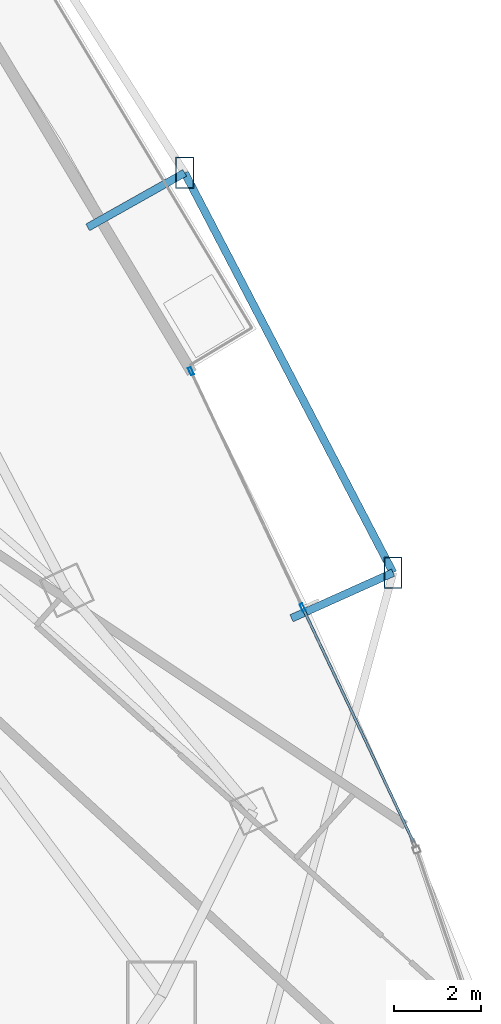
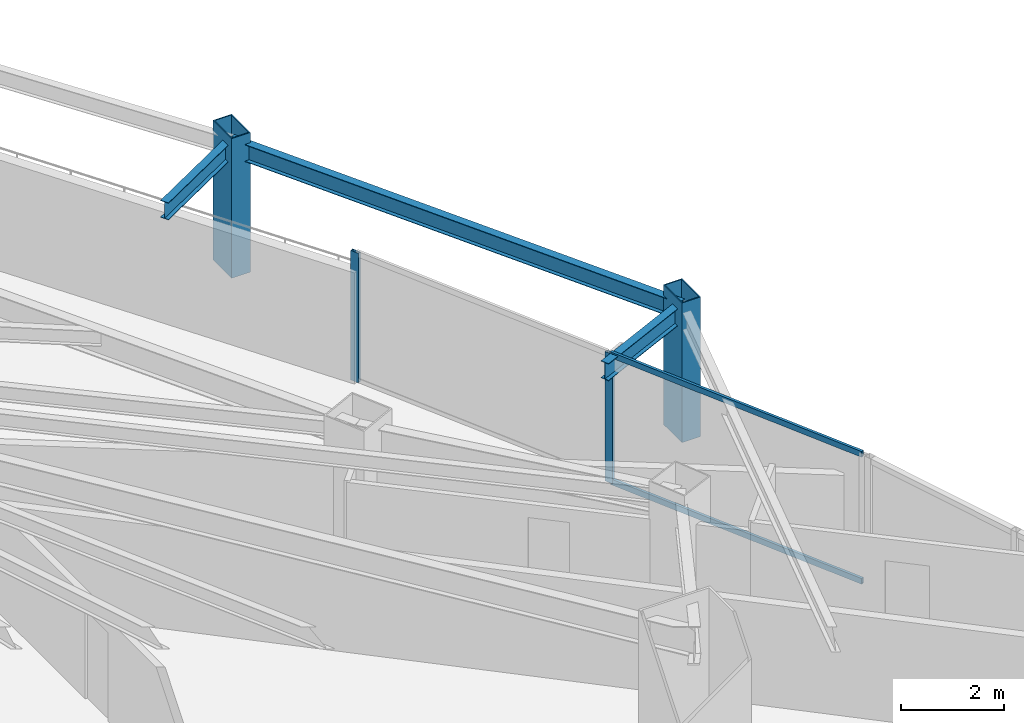
# One storey, part 17 of 33: 6 members, 3 beams, 1 element without a shape of its own.
"""IFC4 building model written with IfcOpenShell, lengths in metres."""

from ifc_helpers import new_model, si_unit, direction, frame, origin, origin_2d, place, context, subcontext, project, spatial, hollow_rectangle, i_section, extrude, material, layer, layer_set, material_profile, profile_set, type_object, element, aggregate, save


model = new_model("IFC4")

# Units and contexts
model_context = context("Model", 3, precision=1e-05, world=origin(), true_north=direction((0.0, 1.0)))
body_context = subcontext(model_context, "Body", "Model", "MODEL_VIEW")
ifc_project = project(units=[si_unit("LENGTHUNIT", "METRE"), si_unit("AREAUNIT", "SQUARE_METRE"), si_unit("VOLUMEUNIT", "CUBIC_METRE"), si_unit("PLANEANGLEUNIT", "RADIAN"), si_unit("MASSUNIT", "GRAM", prefix="KILO")], contexts=[model_context])

# Site, building, storey
site_placement = place(None, origin())
site = spatial("IfcSite", under=ifc_project, at=site_placement, CompositionType="ELEMENT")
building_placement = place(site_placement, origin())
building = spatial("IfcBuilding", under=site, at=building_placement, Name="Orvanel Arch Residences", CompositionType="ELEMENT")
storey_placement = place(building_placement, frame((0.0, 0.0, 90.64990234375)))
storey = spatial("IfcBuildingStorey", under=building, at=storey_placement, Name="L25", CompositionType="ELEMENT", Elevation=90.64990234375)

# Members
ifc_material_1 = material(Name="Structural steel AS/NZS 3678 Grade 350", Category="steel")
ifc_material_profile_1 = material_profile(ifc_material_1, hollow_rectangle(XDim=0.419921875, YDim=0.719970703125, WallThickness=0.02490234375, at=origin_2d()), Name="RHS720x420x25")
ifc_profile_set_1 = profile_set([ifc_material_profile_1], Name="Structural steel AS/NZS 3678 Grade 350")
member_type_1 = type_object("IfcMemberType", Name="CH-720RHS-EXT", PredefinedType="CHORD", material=ifc_profile_set_1)
for number, where, z_axis, x_axis, name in (
    (1, (57.10791015625, 20.0458984375, 0.0), (0.0, 0.0, 1.0), (1.0, 0.0, 0.0), "L25 Outer Perimeter Frame Post 09"),
    (2, (52.3330078125, 29.2080078125, 0.0), (0.0, 0.0, 1.0), (1.0, 0.0, 0.0), "L25 Outer Perimeter Frame Post 10"),
):
    element("IfcMember", number, at=place(storey_placement, frame(where, z_axis=z_axis, x_axis=x_axis)), inside=storey, type_object=member_type_1, Name=name, PredefinedType="CHORD", context=body_context, shape_type="SweptSolid", body=[
        extrude(hollow_rectangle(XDim=0.419921875, YDim=0.719970703125, WallThickness=0.02490234375, at=origin_2d()), origin(), (0.0, 0.0, 1.0), 3.300048828125),
    ])

# Curtain wall, members
ifc_material_2 = material(Name="Bronze-anodised aluminium AA6063-T6", Category="aluminium")
ifc_layer = layer(ifc_material_2, 0.179931640625)
ifc_layer_set = layer_set([ifc_layer], Name="Bronze-anodised aluminium AA6063-T6")
curtain_wall_type = type_object("IfcCurtainWallType", Name="CW2-LOW-SYS", PredefinedType="NOTDEFINED", material=ifc_layer_set)
curtain_wall_placement = place(storey_placement, origin())
curtain_wall = element("IfcCurtainWall", 3, at=curtain_wall_placement, inside=storey, type_object=curtain_wall_type, Name="L25 CW2-LOW-SYS Unitised Curtain Wall", PredefinedType="NOTDEFINED")
ifc_material_profile_2 = material_profile(ifc_material_2, hollow_rectangle(XDim=0.070068359375, YDim=0.179931640625, WallThickness=0.00439453125, at=origin_2d()), Name="ALU180x70x4.5")
ifc_profile_set_2 = profile_set([ifc_material_profile_2], Name="Bronze-anodised aluminium AA6063-T6")
member_type_2 = type_object("IfcMemberType", Name="MUL-180x70", PredefinedType="MULLION", material=ifc_profile_set_2)
member_1_placement = place(storey_placement, frame((55.034423828125, 19.2490234375, 0.0), z_axis=(0.0, 0.0, 1.0), x_axis=(-0.904168484488, -0.427176019527, 0.0)))
member_1 = element("IfcMember", 4, at=member_1_placement, type_object=member_type_2, Name="CW-S2 mullion 2", PredefinedType="MULLION", context=body_context, shape_type="SweptSolid", body=[
    extrude(hollow_rectangle(XDim=0.070068359375, YDim=0.179931640625, WallThickness=0.00439453125, at=origin_2d()), origin(), (0.0, 0.0, 1.0), 3.06005859375),
])
member_2_placement = place(storey_placement, frame((52.47705078125, 24.662353515625, 0.0), z_axis=(0.0, 0.0, 1.0), x_axis=(-0.904168484488, -0.427176019527, 0.0)))
member_2 = element("IfcMember", 5, at=member_2_placement, type_object=member_type_2, Name="CW-S2 mullion 3", PredefinedType="MULLION", context=body_context, shape_type="SweptSolid", body=[
    extrude(hollow_rectangle(XDim=0.070068359375, YDim=0.179931640625, WallThickness=0.00439453125, at=origin_2d()), origin(), (0.0, 0.0, 1.0), 3.06005859375),
])

# Beams
ifc_material_3 = material(Name="Structural steel AS/NZS 3679.1 Grade 300 (300 MPa)", Category="steel")
ifc_material_profile_3 = material_profile(ifc_material_3, i_section(OverallWidth=0.177978515625, OverallDepth=0.406005859375, WebThickness=0.0078125, FlangeThickness=0.0126953125, at=origin_2d()), Name="410UB59.7")
ifc_profile_set_3 = profile_set([ifc_material_profile_3], Name="Structural steel AS/NZS 3679.1 Grade 300 (300 MPa)")
beam_type = type_object("IfcBeamType", Name="OB-410UB-EXT", PredefinedType="SPANDREL", material=ifc_profile_set_3)
beam_1_placement = place(storey_placement, frame((54.781005859375, 19.0009765625, 2.857177734375), z_axis=(0.912241796251, 0.409652175843, 0.0), x_axis=(-0.409652175843, 0.912241796251, 0.0)))
element("IfcBeam", 6, at=beam_1_placement, inside=storey, type_object=beam_type, Name="L25 Outer Frame Radial Tie Beam 09", PredefinedType="SPANDREL", context=body_context, shape_type="SweptSolid", body=[
    extrude(i_section(OverallWidth=0.177978515625, OverallDepth=0.406005859375, WebThickness=0.0078125, FlangeThickness=0.0126953125, at=origin_2d()), origin(), (0.0, 0.0, 1.0), 2.55078125),
])
beam_2_placement = place(storey_placement, frame((57.10791015625, 20.0458984375, 2.857177734375), z_axis=(-0.462160557234, 0.886796267097, 0.0), x_axis=(-0.886796267097, -0.462160557234, 0.0)))
element("IfcBeam", 7, at=beam_2_placement, inside=storey, type_object=beam_type, Name="L25 Outer Perimeter Floor Ring Beam 09", PredefinedType="SPANDREL", context=body_context, shape_type="SweptSolid", body=[
    extrude(i_section(OverallWidth=0.177978515625, OverallDepth=0.406005859375, WebThickness=0.0078125, FlangeThickness=0.0126953125, at=origin_2d()), origin(), (0.0, 0.0, 1.0), 10.331787109375),
])
beam_3_placement = place(storey_placement, frame((50.110107421875, 27.9580078125, 2.857177734375), z_axis=(0.871639445711, 0.490147607034, 0.0), x_axis=(-0.490147607034, 0.871639445711, 0.0)))
element("IfcBeam", 8, at=beam_3_placement, inside=storey, type_object=beam_type, Name="L25 Outer Frame Radial Tie Beam 10", PredefinedType="SPANDREL", context=body_context, shape_type="SweptSolid", body=[
    extrude(i_section(OverallWidth=0.177978515625, OverallDepth=0.406005859375, WebThickness=0.0078125, FlangeThickness=0.0126953125, at=origin_2d()), origin(), (0.0, 0.0, 1.0), 2.55029296875),
])

# Member
ifc_material_profile_4 = material_profile(ifc_material_2, hollow_rectangle(XDim=0.06005859375, YDim=0.135009765625, WallThickness=0.00390625, at=origin_2d()), Name="ALU135x60x4")
ifc_profile_set_4 = profile_set([ifc_material_profile_4], Name="Bronze-anodised aluminium AA6063-T6")
member_type_3 = type_object("IfcMemberType", Name="TRN-135x60", PredefinedType="USERDEFINED", material=ifc_profile_set_4)
member_3_placement = place(storey_placement, frame((57.5771484375, 13.8671875, 0.030029296875), z_axis=(-0.427165612151, 0.904173401398, 0.0), x_axis=(-0.904173401398, -0.427165612151, 0.0)))
member_3 = element("IfcMember", 9, at=member_3_placement, type_object=member_type_3, Name="CW-S2 transom 1.1", ObjectType="TRANSOM", PredefinedType="USERDEFINED", context=body_context, shape_type="SweptSolid", body=[
    extrude(hollow_rectangle(XDim=0.06005859375, YDim=0.135009765625, WallThickness=0.00390625, at=origin_2d()), origin(), (0.0, 0.0, 1.0), 5.917236328125),
])

member_4_placement = place(storey_placement, frame((57.5771484375, 13.8671875, 3.030029296875), z_axis=(-0.427165612151, 0.904173401398, 0.0), x_axis=(-0.904173401398, -0.427165612151, 0.0)))
member_4 = element("IfcMember", 10, at=member_4_placement, type_object=member_type_3, Name="CW-S2 transom 1.2", ObjectType="TRANSOM", PredefinedType="USERDEFINED", context=body_context, shape_type="SweptSolid", body=[
    extrude(hollow_rectangle(XDim=0.06005859375, YDim=0.135009765625, WallThickness=0.00390625, at=origin_2d()), origin(), (0.0, 0.0, 1.0), 5.917236328125),
])

aggregate(curtain_wall, [member_1, member_2, member_3, member_4])

save(model, "model.ifc")
